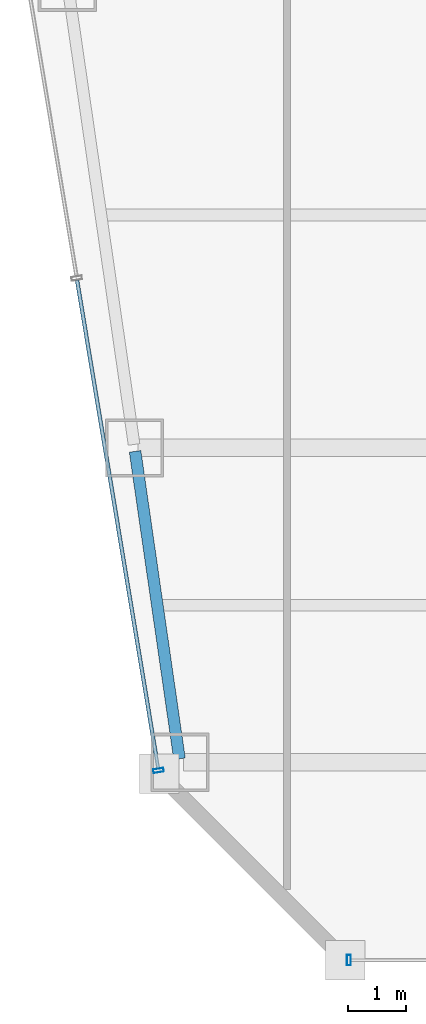
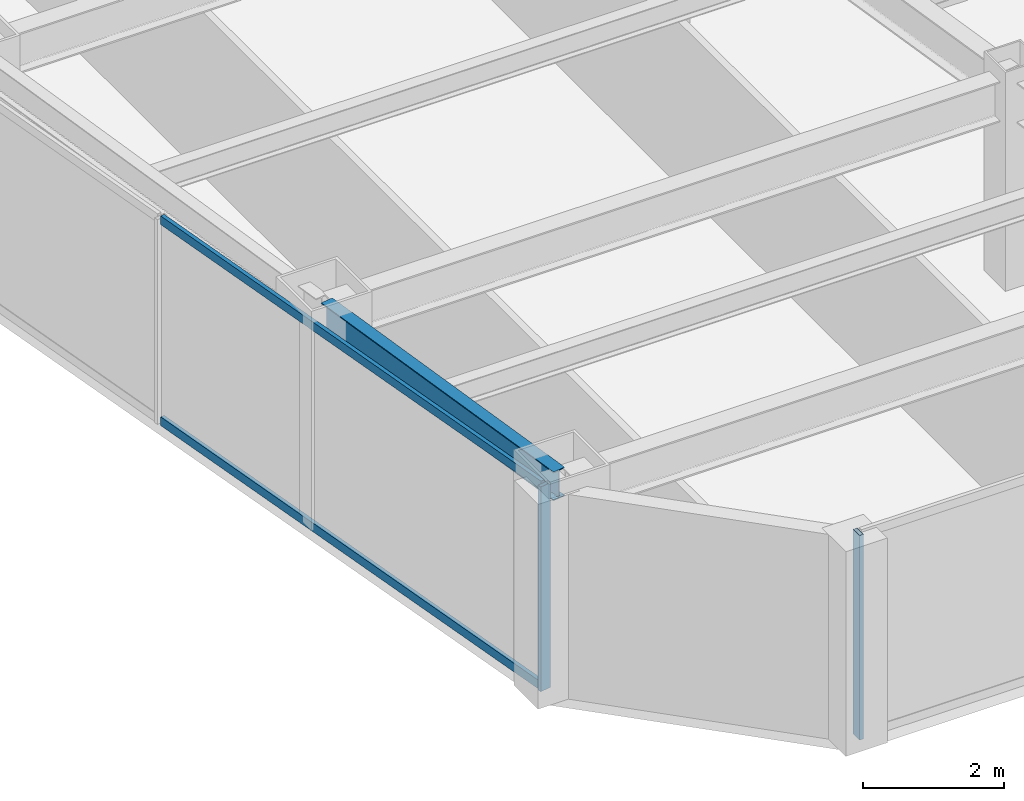
# One storey, part 2 of 40: 4 members, 1 beam, 2 elements without a shape of their own.
"""IFC4 building model written with IfcOpenShell, lengths in metres."""

from ifc_helpers import new_model, si_unit, direction, frame, origin, origin_2d, place, context, subcontext, project, spatial, hollow_rectangle, i_section, extrude, material, material_profile, profile_set, type_object, element, aggregate, save


model = new_model("IFC4")

# Units and contexts
model_context = context("Model", 3, precision=1e-05, world=origin(), true_north=direction((0.0, 1.0)))
body_context = subcontext(model_context, "Body", "Model", "MODEL_VIEW")
ifc_project = project(units=[si_unit("LENGTHUNIT", "METRE"), si_unit("AREAUNIT", "SQUARE_METRE"), si_unit("VOLUMEUNIT", "CUBIC_METRE"), si_unit("PLANEANGLEUNIT", "RADIAN"), si_unit("MASSUNIT", "GRAM", prefix="KILO")], contexts=[model_context])

# Site, building, storey
site_placement = place(None, origin())
site = spatial("IfcSite", under=ifc_project, at=site_placement, CompositionType="ELEMENT")
building_placement = place(site_placement, origin())
building = spatial("IfcBuilding", under=site, at=building_placement, Name="Saevonmaru Cultural Tower", CompositionType="ELEMENT")
storey_placement = place(building_placement, frame((0.0, 0.0, 129.60009765625)))
storey = spatial("IfcBuildingStorey", under=building, at=storey_placement, Name="L27", CompositionType="ELEMENT", Elevation=129.60009765625)

# Beam
ifc_material_1 = material(Name="Steel SM355", Category="steel")
ifc_material_profile_1 = material_profile(ifc_material_1, i_section(OverallWidth=0.199951171875, OverallDepth=0.5, WebThickness=0.010009765625, FlangeThickness=0.01611328125, FilletRadius=0.02001953125, at=origin_2d()), Name="H-500x200x10x16")
ifc_profile_set_1 = profile_set([ifc_material_profile_1], Name="Steel SM355")
beam_type = type_object("IfcBeamType", Name="BM-SP-H500", PredefinedType="SPANDREL", material=ifc_profile_set_1)
beam_placement = place(storey_placement, frame((11.3994140625, 10.659423828125, 3.2998046875), z_axis=(-0.1429328758, 0.989732384544, 0.0), x_axis=(-0.989732384544, -0.1429328758, 0.0)))
element("IfcBeam", 1, at=beam_placement, inside=storey, type_object=beam_type, Name="L27 West Splayed Spandrel 1", PredefinedType="SPANDREL", context=body_context, shape_type="SweptSolid", body=[
    extrude(i_section(OverallWidth=0.199951171875, OverallDepth=0.5, WebThickness=0.010009765625, FlangeThickness=0.01611328125, FilletRadius=0.02001953125, at=origin_2d()), origin(), (0.0, 0.0, 1.0), 5.3359375),
])

# Curtain wall, member
ifc_material_2 = material(Name="Satin Bronze Anodised Aluminium", Category="aluminium")
curtain_wall_type = type_object("IfcCurtainWallType", Name="CW-SKY-GLZ", PredefinedType="NOTDEFINED", material=ifc_material_2)
curtain_wall_1_placement = place(storey_placement, origin())
curtain_wall_1 = element("IfcCurtainWall", 2, at=curtain_wall_1_placement, inside=storey, type_object=curtain_wall_type, Name="L27 Unitised Curtain Wall E2", PredefinedType="NOTDEFINED")
ifc_material_profile_2 = material_profile(ifc_material_2, hollow_rectangle(XDim=0.06494140625, YDim=0.179931640625, WallThickness=0.00390625, at=origin_2d()), Name="ALU-MULL-180x65x4")
ifc_profile_set_2 = profile_set([ifc_material_profile_2], Name="Satin Bronze Anodised Aluminium")
member_type_1 = type_object("IfcMemberType", Name="ML-CW-180x65", PredefinedType="MULLION", material=ifc_profile_set_2)
member_1_placement = place(storey_placement, frame((14.308837890625, 7.199951171875, 0.0), z_axis=(0.0, 0.0, 1.0), x_axis=(1.0, 0.0, 0.0)))
member_1 = element("IfcMember", 3, at=member_1_placement, type_object=member_type_1, Name="CW-TW-L27-E2 mullion 1", PredefinedType="MULLION", context=body_context, shape_type="SweptSolid", body=[
    extrude(hollow_rectangle(XDim=0.06494140625, YDim=0.179931640625, WallThickness=0.00390625, at=origin_2d()), origin(), (0.0, 0.0, 1.0), 3.5498046875),
])
aggregate(curtain_wall_1, [member_1])

# Curtain wall, members
curtain_wall_2_placement = place(storey_placement, origin())
curtain_wall_2 = element("IfcCurtainWall", 4, at=curtain_wall_2_placement, inside=storey, type_object=curtain_wall_type, Name="L27 Unitised Curtain Wall E12", PredefinedType="NOTDEFINED")
member_2_placement = place(storey_placement, frame((11.0390625, 10.459228515625, 0.0), z_axis=(0.0, 0.0, 1.0), x_axis=(0.163998702345, -0.986460554523, 0.0)))
member_2 = element("IfcMember", 5, at=member_2_placement, type_object=member_type_1, Name="CW-TW-L27-E12 mullion 6", PredefinedType="MULLION", context=body_context, shape_type="SweptSolid", body=[
    extrude(hollow_rectangle(XDim=0.06494140625, YDim=0.179931640625, WallThickness=0.00390625, at=origin_2d()), origin(), (0.0, 0.0, 1.0), 3.5498046875),
])
ifc_material_profile_3 = material_profile(ifc_material_2, hollow_rectangle(XDim=0.06494140625, YDim=0.14990234375, WallThickness=0.00390625, at=origin_2d()), Name="ALU-TRAN-150x65x4")
ifc_profile_set_3 = profile_set([ifc_material_profile_3], Name="Satin Bronze Anodised Aluminium")
member_type_2 = type_object("IfcMemberType", Name="TR-CW-150x65", PredefinedType="USERDEFINED", material=ifc_profile_set_3)
member_3_placement = place(storey_placement, frame((9.638671875, 18.883544921875, 0.032470703125), z_axis=(0.163975495344, -0.986464412398, 0.0), x_axis=(0.986464412398, 0.163975495344, 0.0)))
member_3 = element("IfcMember", 6, at=member_3_placement, type_object=member_type_2, Name="CW-TW-L27-E12 transom 5.1", ObjectType="TRANSOM", PredefinedType="USERDEFINED", context=body_context, shape_type="SweptSolid", body=[
    extrude(hollow_rectangle(XDim=0.06494140625, YDim=0.14990234375, WallThickness=0.00390625, at=origin_2d()), origin(), (0.0, 0.0, 1.0), 8.507568359375),
])
member_4_placement = place(storey_placement, frame((9.638671875, 18.883544921875, 3.517333984375), z_axis=(0.163975495344, -0.986464412398, 0.0), x_axis=(0.986464412398, 0.163975495344, 0.0)))
member_4 = element("IfcMember", 7, at=member_4_placement, type_object=member_type_2, Name="CW-TW-L27-E12 transom 5.2", ObjectType="TRANSOM", PredefinedType="USERDEFINED", context=body_context, shape_type="SweptSolid", body=[
    extrude(hollow_rectangle(XDim=0.06494140625, YDim=0.14990234375, WallThickness=0.00390625, at=origin_2d()), origin(), (0.0, 0.0, 1.0), 8.507568359375),
])
aggregate(curtain_wall_2, [member_2, member_3, member_4])

save(model, "model.ifc")
